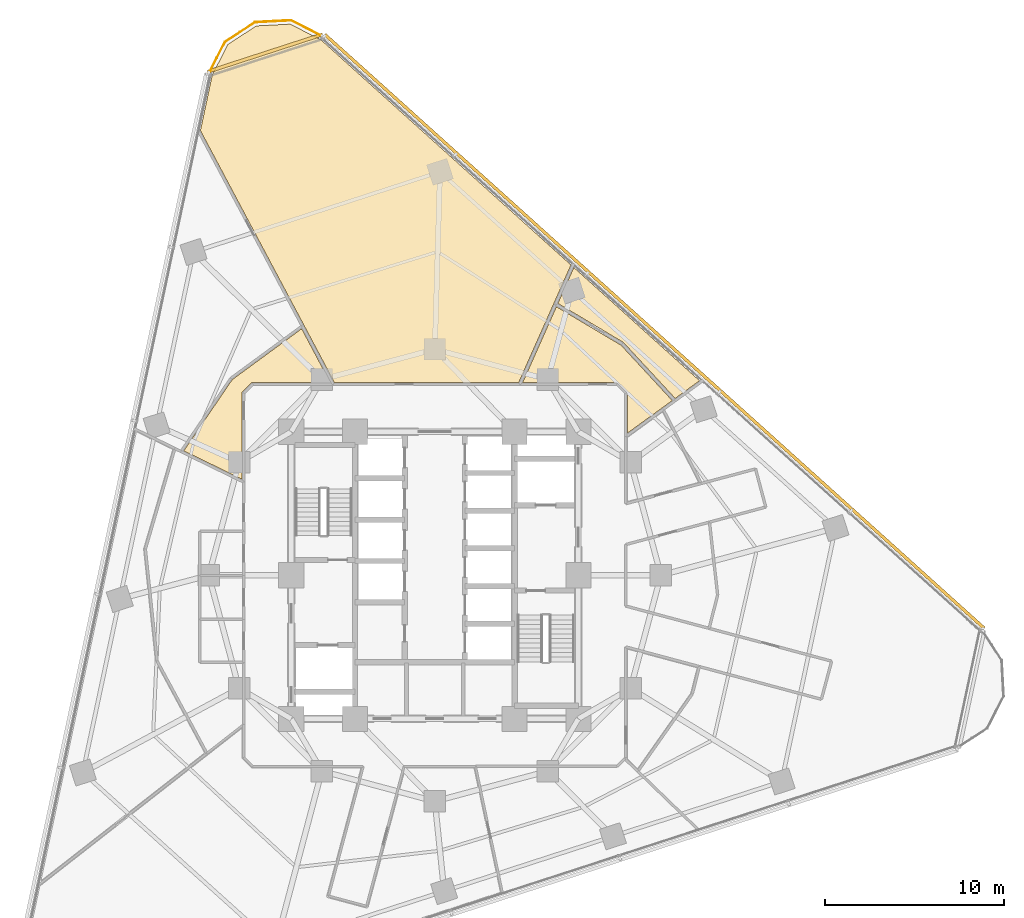
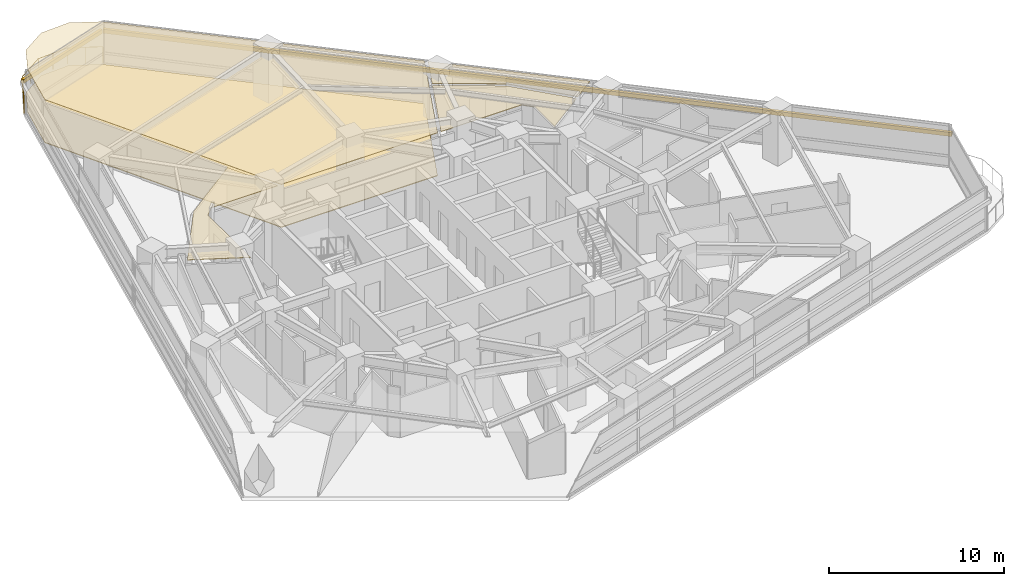
# One storey, part 13 of 13: 5 coverings, 2 shading devices, 1 railing.
"""IFC4 building model written with IfcOpenShell, lengths in metres."""

from ifc_helpers import new_model, si_unit, direction, frame, origin, origin_2d, place, context, subcontext, project, spatial, polyline, rectangle, circle, outline, extrude, material, layer, layer_set, type_object, element, save


model = new_model("IFC4")

# Units and contexts
model_context = context("Model", 3, precision=1e-05, world=origin(), true_north=direction((0.0, 1.0)))
body_context = subcontext(model_context, "Body", "Model", "MODEL_VIEW")
ifc_project = project(units=[si_unit("LENGTHUNIT", "METRE"), si_unit("AREAUNIT", "SQUARE_METRE"), si_unit("VOLUMEUNIT", "CUBIC_METRE"), si_unit("PLANEANGLEUNIT", "RADIAN"), si_unit("MASSUNIT", "GRAM", prefix="KILO")], contexts=[model_context])

# Site, building, storey
site_placement = place(None, origin())
site = spatial("IfcSite", under=ifc_project, at=site_placement, CompositionType="ELEMENT")
building_placement = place(site_placement, origin())
building = spatial("IfcBuilding", under=site, at=building_placement, Name="Terralouvre Media Tower", CompositionType="ELEMENT")
storey_placement = place(building_placement, frame((0.0, 0.0, 105.10009765625)))
storey = spatial("IfcBuildingStorey", under=building, at=storey_placement, Name="L26", CompositionType="ELEMENT", Elevation=105.10009765625)

# Coverings
ifc_material_1 = material(Name="Resilient elastomer acoustic broadcast studio flooring")
ifc_layer_1 = layer(ifc_material_1, 0.050048828125, Name="Broadcast Studio Acoustic Floating Floor FL-AC1")
ifc_layer_set_1 = layer_set([ifc_layer_1], Name="Resilient elastomer acoustic broadcast studio flooring")
covering_type_1 = type_object("IfcCoveringType", Name="Broadcast Studio Acoustic Floating Floor FL-AC1", PredefinedType="FLOORING", material=ifc_layer_set_1)
covering_1_placement = place(storey_placement, frame((0.0, 0.0, 0.0), z_axis=(0.0, 0.0, 1.0), x_axis=(0.951056516295, 0.309016994375, 0.0)))
element("IfcCovering", 1, at=covering_1_placement, inside=storey, type_object=covering_type_1, Name="L26 Mindfulness Recreation Club 11 Acoustic Floating Floor", PredefinedType="FLOORING", context=body_context, shape_type="SweptSolid", body=[
    extrude(outline(polyline([(-2.6337890625, 15.512939453125), (-2.0068359375, 11.955322265625), (7.77001953125, 8.778564453125), (10.99560546875, 12.36083984375), (12.564208984375, 14.10302734375), (3.184326171875, 30.349365234375), (1.825927734375, 31.707275390625), (0.000244140625, 32.1962890625), (-1.826416015625, 31.70703125), (-3.1845703125, 30.3486328125), (-4.7666015625, 27.60791015625), (-2.6337890625, 15.512939453125)])), origin(), (0.0, 0.0, 1.0), 0.0498046875),
])
ifc_material_2 = material(Name="Perforated aluminium acoustic ceiling baffle", Category="aluminium")
ifc_layer_2 = layer(ifc_material_2, 0.0400390625, Name="Perforated Acoustic Metal Tile Ceiling CL-AC1")
ifc_layer_set_2 = layer_set([ifc_layer_2], Name="Perforated aluminium acoustic ceiling baffle")
covering_type_2 = type_object("IfcCoveringType", Name="Perforated Acoustic Metal Tile Ceiling CL-AC1", PredefinedType="CEILING", material=ifc_layer_set_2)
covering_2_placement = place(storey_placement, frame((0.0, 0.0, 2.97998046875), z_axis=(0.0, 0.0, 1.0), x_axis=(0.951056516295, 0.309016994375, 0.0)))
element("IfcCovering", 2, at=covering_2_placement, inside=storey, type_object=covering_type_2, Name="L26 Medical Journalism Research Office 9 Acoustic Ceiling", PredefinedType="CEILING", context=body_context, shape_type="SweptSolid", body=[
    extrude(outline(polyline([(13.99755859375, 9.107177734375), (14.00341796875, 9.099609375), (14.0087890625, 9.091552734375), (14.01318359375, 9.083251953125), (15.786376953125, 5.235107421875), (17.38427734375, 5.75390625), (12.669189453125, 13.9208984375), (11.20361328125, 12.29296875), (13.99755859375, 9.107177734375)])), origin(), (0.0, 0.0, 1.0), 0.0400390625),
])
covering_3_placement = place(storey_placement, frame((0.0, 0.0, 2.97998046875), z_axis=(0.0, 0.0, 1.0), x_axis=(0.951056516295, 0.309016994375, 0.0)))
element("IfcCovering", 3, at=covering_3_placement, inside=storey, type_object=covering_type_2, Name="L26 Staff Wellness Fitness Gym 10 Acoustic Ceiling", PredefinedType="CEILING", context=body_context, shape_type="SweptSolid", body=[
    extrude(outline(polyline([(15.594970703125, 5.1728515625), (13.837646484375, 8.986328125), (11.06884765625, 12.143310546875), (7.978271484375, 8.7109375), (12.97509765625, 7.08740234375), (12.984375, 7.083740234375), (12.9931640625, 7.07958984375), (13.00146484375, 7.07421875), (13.00927734375, 7.068359375), (13.016357421875, 7.0615234375), (13.022705078125, 7.05419921875), (13.0283203125, 7.046142578125), (13.033447265625, 7.03759765625), (13.354248046875, 6.407470703125), (13.3583984375, 6.398681640625), (13.361572265625, 6.389404296875), (13.36376953125, 6.379638671875), (13.364990234375, 6.3701171875), (13.365234375, 6.360107421875), (13.364501953125, 6.350341796875), (13.363037109375, 6.3408203125), (13.3603515625, 6.331298828125), (12.67578125, 4.223876953125), (14.929443359375, 4.9560546875), (15.594970703125, 5.1728515625)])), origin(), (0.0, 0.0, 1.0), 0.0400390625),
])
covering_4_placement = place(storey_placement, frame((0.0, 0.0, 2.97998046875), z_axis=(0.0, 0.0, 1.0), x_axis=(0.951056516295, 0.309016994375, 0.0)))
element("IfcCovering", 4, at=covering_4_placement, inside=storey, type_object=covering_type_2, Name="L26 Mindfulness Recreation Club 11 Acoustic Ceiling", PredefinedType="CEILING", context=body_context, shape_type="SweptSolid", body=[
    extrude(outline(polyline([(-2.6337890625, 15.512939453125), (-2.0068359375, 11.955322265625), (7.77001953125, 8.778564453125), (10.99560546875, 12.36083984375), (12.564208984375, 14.10302734375), (3.184326171875, 30.349365234375), (1.825927734375, 31.707275390625), (0.000244140625, 32.1962890625), (-1.826416015625, 31.70703125), (-3.1845703125, 30.3486328125), (-4.7666015625, 27.60791015625), (-2.6337890625, 15.512939453125)])), origin(), (0.0, 0.0, 1.0), 0.0400390625),
])
covering_5_placement = place(storey_placement, frame((0.0, 0.0, 2.97998046875), z_axis=(0.0, 0.0, 1.0), x_axis=(0.951056516295, 0.309016994375, 0.0)))
element("IfcCovering", 5, at=covering_5_placement, inside=storey, type_object=covering_type_2, Name="L26 Terrace View Hospitality Lounge 13 Acoustic Ceiling", PredefinedType="CEILING", context=body_context, shape_type="SweptSolid", body=[
    extrude(outline(polyline([(-7.370361328125, 13.861572265625), (-11.165771484375, 10.922119140625), (-8.5693359375, 8.4140625), (-7.08740234375, 12.97509765625), (-7.083740234375, 12.984375), (-7.07958984375, 12.9931640625), (-7.07421875, 13.00146484375), (-7.068359375, 13.00927734375), (-7.0615234375, 13.016357421875), (-7.05419921875, 13.022705078125), (-7.046142578125, 13.0283203125), (-7.03759765625, 13.033447265625), (-6.407470703125, 13.354248046875), (-6.398681640625, 13.3583984375), (-6.389404296875, 13.361572265625), (-6.379638671875, 13.36376953125), (-6.3701171875, 13.364990234375), (-6.360107421875, 13.365234375), (-6.350341796875, 13.364501953125), (-6.3408203125, 13.363037109375), (-6.331298828125, 13.3603515625), (-2.22216796875, 12.025146484375), (-2.810791015625, 15.364501953125), (-7.370361328125, 13.861572265625)])), origin(), (0.0, 0.0, 1.0), 0.0400390625),
])

# Railing
ifc_material_3 = material(Name="Stainless steel 316 handrail and balustrade", Category="steel")
ifc_layer_3 = layer(ifc_material_3, 0.06005859375, Name="Roof Edge Safety Guardrail GR-ROOF1")
ifc_layer_set_3 = layer_set([ifc_layer_3], Name="Stainless steel 316 handrail and balustrade")
railing_type = type_object("IfcRailingType", Name="Roof Edge Safety Guardrail GR-ROOF1", PredefinedType="GUARDRAIL", material=ifc_layer_set_3)
railing_placement = place(storey_placement, frame((-6.221435546875, 30.015869140625, 0.0)))
element("IfcRailing", 6, at=railing_placement, inside=storey, type_object=railing_type, Name="L26 Wind-Corner Perimeter Safety Guardrail C2", PredefinedType="GUARDRAIL", context=body_context, shape_type="SweptSolid", body=[
    extrude(circle(Radius=0.02099609375, at=origin_2d()), frame((0.0, 0.0, 1.12890625), z_axis=(-0.890922546915, 0.454155276748, 0.0), x_axis=(-0.454155276748, -0.890922546915, 0.0)), (0.0, 0.0, 1.0), 2.0078125),
    extrude(circle(Radius=0.02099609375, at=origin_2d()), frame((-1.788818359375, 0.911865234375, 1.12890625), z_axis=(-0.998637914219, -0.052175820874, 0.0), x_axis=(0.052175820874, -0.998637914219, 0.0)), (0.0, 0.0, 1.0), 2.00732421875),
    extrude(circle(Radius=0.02099609375, at=origin_2d()), frame((-3.79345703125, 0.80712890625, 1.12890625), z_axis=(-0.838632501794, -0.544697647264, 0.0), x_axis=(0.544697647264, -0.838632501794, 0.0)), (0.0, 0.0, 1.0), 2.007568359375),
    extrude(circle(Radius=0.02099609375, at=origin_2d()), frame((-5.47705078125, -0.286376953125, 1.12890625), z_axis=(-0.453767310879, -0.891120209387, 0.0), x_axis=(0.891120209387, -0.453767310879, 0.0)), (0.0, 0.0, 1.0), 2.0078125),
    extrude(circle(Radius=0.01904296875, at=origin_2d()), origin(), (0.0, 0.0, 1.0), 1.10791015625),
    extrude(circle(Radius=0.01904296875, at=origin_2d()), frame((-0.89453125, 0.4560546875, 0.0)), (0.0, 0.0, 1.0), 1.10791015625),
    extrude(circle(Radius=0.01904296875, at=origin_2d()), frame((-1.788818359375, 0.911865234375, 0.0)), (0.0, 0.0, 1.0), 1.10791015625),
    extrude(circle(Radius=0.01904296875, at=origin_2d()), frame((-2.791015625, 0.859375, 0.0)), (0.0, 0.0, 1.0), 1.10791015625),
    extrude(circle(Radius=0.01904296875, at=origin_2d()), frame((-3.79345703125, 0.80712890625, 0.0)), (0.0, 0.0, 1.0), 1.10791015625),
    extrude(circle(Radius=0.01904296875, at=origin_2d()), frame((-4.63525390625, 0.26025390625, 0.0)), (0.0, 0.0, 1.0), 1.10791015625),
    extrude(circle(Radius=0.01904296875, at=origin_2d()), frame((-5.47705078125, -0.286376953125, 0.0)), (0.0, 0.0, 1.0), 1.10791015625),
    extrude(circle(Radius=0.01904296875, at=origin_2d()), frame((-5.9326171875, -1.18115234375, 0.0)), (0.0, 0.0, 1.0), 1.10791015625),
    extrude(circle(Radius=0.01904296875, at=origin_2d()), frame((-6.38818359375, -2.07568359375, 0.0)), (0.0, 0.0, 1.0), 1.10791015625),
])

# Shading devices
ifc_material_4 = material(Name="Extruded terracotta baguette sunshade louvres", Category="masonry")
shading_device_type = type_object("IfcShadingDeviceType", Name="Terracotta Baguette Sunshade Louvre Screen TB-LV1", PredefinedType="USERDEFINED", material=ifc_material_4)
shading_device_1_placement = place(storey_placement, frame((12.23974609375, 13.59375, 2.02392578125), z_axis=(0.0, 0.0, 1.0), x_axis=(-0.743144795545, 0.669130639602, 0.0)))
element("IfcShadingDevice", 7, at=shading_device_1_placement, inside=storey, type_object=shading_device_type, Name="CW-L26-F1 Terracotta Baguette Sunshade Louvre", ObjectType="BAGUETTE", PredefinedType="USERDEFINED", context=body_context, shape_type="SweptSolid", body=[
    extrude(rectangle(XDim=49.43994140625, YDim=0.179931640625, at=origin_2d()), origin(), (0.0, 0.0, 1.0), 0.280029296875),
])
shading_device_2_placement = place(storey_placement, frame((-9.457275390625, 29.106201171875, 2.02392578125), z_axis=(0.0, 0.0, 1.0), x_axis=(-0.951056286408, -0.309017701894, 0.0)))
element("IfcShadingDevice", 8, at=shading_device_2_placement, inside=storey, type_object=shading_device_type, Name="CW-L26-C2 Terracotta Baguette Sunshade Louvre", ObjectType="BAGUETTE", PredefinedType="USERDEFINED", context=body_context, shape_type="SweptSolid", body=[
    extrude(rectangle(XDim=6.720458984375, YDim=0.179931640625, at=origin_2d()), origin(), (0.0, 0.0, 1.0), 0.280029296875),
])

save(model, "model.ifc")
